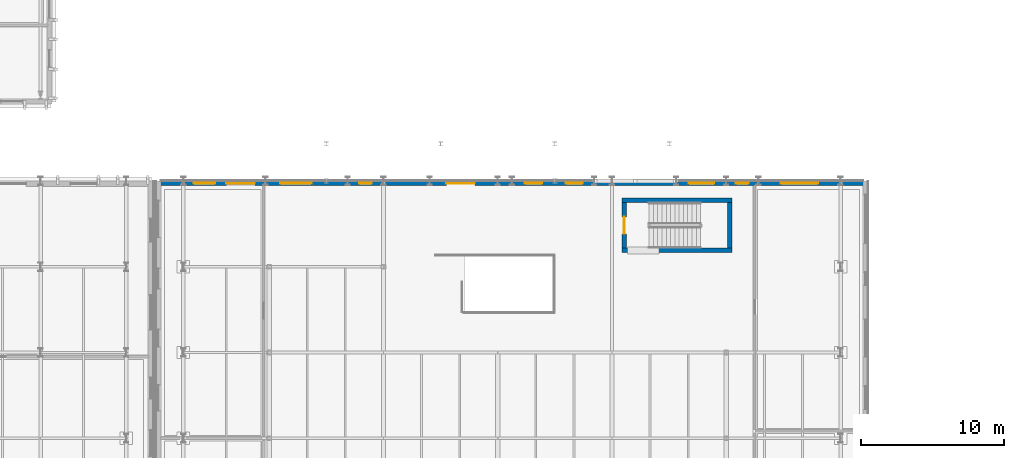
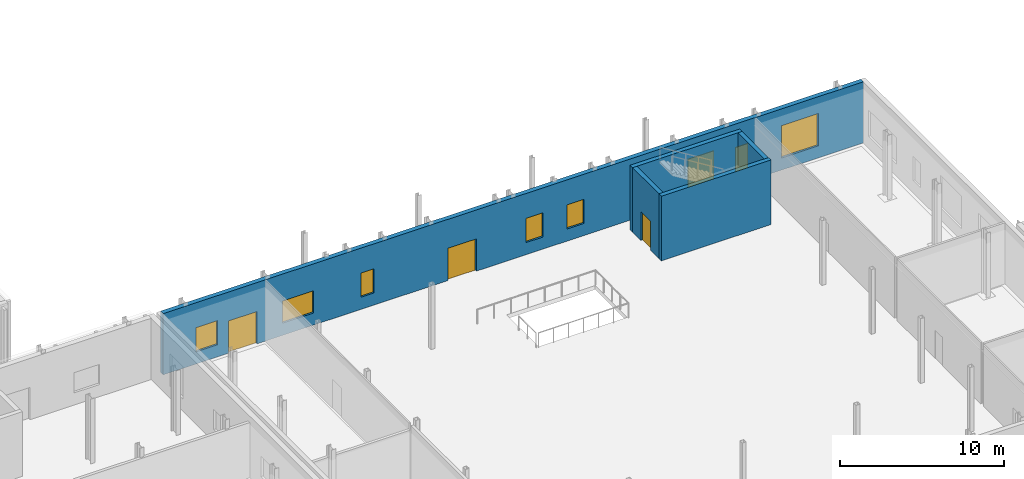
# One storey, part 28 of 60: 8 windows, 5 walls, 3 doors, 11 openings.
"""IFC4 building model written with IfcOpenShell, lengths in metres."""

from ifc_helpers import new_model, si_unit, direction, frame, frame_2d, origin, place, context, subcontext, project, spatial, rectangle, extrude, material, layer, layer_set, type_object, element, fill, save


model = new_model("IFC4")

# Units and contexts
model_context = context("Model", 3, precision=1e-05, world=origin(), true_north=direction((0.0, 1.0)))
body_context = subcontext(model_context, "Body", "Model", "MODEL_VIEW")
ifc_project = project(units=[si_unit("LENGTHUNIT", "METRE"), si_unit("AREAUNIT", "SQUARE_METRE"), si_unit("VOLUMEUNIT", "CUBIC_METRE"), si_unit("PLANEANGLEUNIT", "RADIAN"), si_unit("MASSUNIT", "GRAM", prefix="KILO")], contexts=[model_context])

# Site, building, storey
site_placement = place(None, origin())
site = spatial("IfcSite", under=ifc_project, at=site_placement, CompositionType="ELEMENT")
building_placement = place(site_placement, origin())
building = spatial("IfcBuilding", under=site, at=building_placement, Name="Cymarion Research Institute", CompositionType="ELEMENT")
storey_placement = place(building_placement, origin())
storey = spatial("IfcBuildingStorey", under=building, at=storey_placement, Name="L00", CompositionType="ELEMENT", Elevation=0.0)

# Wall, openings, doors, windows
ifc_material_1 = material(Name="Concrete C40/50", Category="concrete")
ifc_layer_1 = layer(ifc_material_1, 0.320068359375)
ifc_layer_set_1 = layer_set([ifc_layer_1], Name="Concrete C40/50")
wall_type_1 = type_object("IfcWallType", Name="EXTERIOR WALL EW-RC320 320MM", PredefinedType="SHEAR", material=ifc_layer_set_1)
wall_1_placement = place(storey_placement, frame((104.197998046875, 41.340087890625, 0.0), z_axis=(0.0, 0.0, 1.0), x_axis=(-1.0, 0.0, 0.0)))
wall_1 = element("IfcWall", 1, at=wall_1_placement, inside=storey, type_object=wall_type_1, Name="L00 V2 exterior wall EW-RC320 #57", PredefinedType="SHEAR", context=body_context, shape_type="SweptSolid", body=[
    extrude(rectangle(XDim=49.196044921875, YDim=0.320068359375, at=frame_2d((24.59814453125, 0.0))), origin(), (0.0, 0.0, 1.0), 4.550048828125),
])
opening_1_placement = place(wall_1_placement, frame((27.197998046875, 0.0, 0.0)))
opening_1 = element("IfcOpeningElement", 2, at=opening_1_placement, cuts=wall_1, Name="Opening D-EX04", PredefinedType="OPENING", context=body_context, shape_type="SweptSolid", body=[
    extrude(rectangle(XDim=2.0, YDim=2.39990234375, at=frame_2d((1.0, 1.199951171875))), frame((0.0, 0.169921875, 0.0), z_axis=(0.0, -1.0, 0.0), x_axis=(1.0, 0.0, 0.0)), (0.0, 0.0, 1.0), 0.340087890625),
])
opening_2_placement = place(wall_1_placement, frame((42.597900390625, 0.0, 0.0)))
opening_2 = element("IfcOpeningElement", 3, at=opening_2_placement, cuts=wall_1, Name="Opening D-EX19", PredefinedType="OPENING", context=body_context, shape_type="SweptSolid", body=[
    extrude(rectangle(XDim=2.0, YDim=2.39990234375, at=frame_2d((1.0, 1.199951171875))), frame((0.0, 0.169921875, 0.0), z_axis=(0.0, -1.0, 0.0), x_axis=(1.0, 0.0, 0.0)), (0.0, 0.0, 1.0), 0.340087890625),
])
opening_3_placement = place(wall_1_placement, frame((3.173095703125, 0.0, 0.89990234375)))
opening_3 = element("IfcOpeningElement", 4, at=opening_3_placement, cuts=wall_1, Name="Opening W22", PredefinedType="OPENING", context=body_context, shape_type="SweptSolid", body=[
    extrude(rectangle(XDim=2.60009765625, YDim=2.39990234375, at=frame_2d((1.300048828125, 1.199951171875))), frame((0.0, 0.169921875, 0.0), z_axis=(0.0, -1.0, 0.0), x_axis=(1.0, 0.0, 0.0)), (0.0, 0.0, 1.0), 0.340087890625),
])
opening_4_placement = place(wall_1_placement, frame((8.028076171875, 0.0, 0.89990234375)))
opening_4 = element("IfcOpeningElement", 5, at=opening_4_placement, cuts=wall_1, Name="Opening W24", PredefinedType="OPENING", context=body_context, shape_type="SweptSolid", body=[
    extrude(rectangle(XDim=0.89990234375, YDim=1.800048828125, at=frame_2d((0.449951171875, 0.89990234375))), frame((0.0, 0.169921875, 0.0), z_axis=(0.0, -1.0, 0.0), x_axis=(1.0, 0.0, 0.0)), (0.0, 0.0, 1.0), 0.340087890625),
])
opening_5_placement = place(wall_1_placement, frame((10.43798828125, 0.0, 0.89990234375)))
opening_5 = element("IfcOpeningElement", 6, at=opening_5_placement, cuts=wall_1, Name="Opening W10", PredefinedType="OPENING", context=body_context, shape_type="SweptSolid", body=[
    extrude(rectangle(XDim=1.800048828125, YDim=2.10009765625, at=frame_2d((0.89990234375, 1.050048828125))), frame((0.0, 0.169921875, 0.0), z_axis=(0.0, -1.0, 0.0), x_axis=(1.0, 0.0, 0.0)), (0.0, 0.0, 1.0), 0.340087890625),
])
opening_6_placement = place(wall_1_placement, frame((19.633056640625, 0.0, 0.89990234375)))
opening_6 = element("IfcOpeningElement", 7, at=opening_6_placement, cuts=wall_1, Name="Opening W01", PredefinedType="OPENING", context=body_context, shape_type="SweptSolid", body=[
    extrude(rectangle(XDim=1.199951171875, YDim=1.800048828125, at=frame_2d((0.60009765625, 0.89990234375))), frame((0.0, 0.169921875, 0.0), z_axis=(0.0, -1.0, 0.0), x_axis=(1.0, 0.0, 0.0)), (0.0, 0.0, 1.0), 0.340087890625),
])
opening_7_placement = place(wall_1_placement, frame((22.498046875, 0.0, 0.89990234375)))
opening_7 = element("IfcOpeningElement", 8, at=opening_7_placement, cuts=wall_1, Name="Opening W01", PredefinedType="OPENING", context=body_context, shape_type="SweptSolid", body=[
    extrude(rectangle(XDim=1.199951171875, YDim=1.800048828125, at=frame_2d((0.60009765625, 0.89990234375))), frame((0.0, 0.169921875, 0.0), z_axis=(0.0, -1.0, 0.0), x_axis=(1.0, 0.0, 0.0)), (0.0, 0.0, 1.0), 0.340087890625),
])
opening_8_placement = place(wall_1_placement, frame((34.39794921875, 0.0, 0.89990234375)))
opening_8 = element("IfcOpeningElement", 9, at=opening_8_placement, cuts=wall_1, Name="Opening W24", PredefinedType="OPENING", context=body_context, shape_type="SweptSolid", body=[
    extrude(rectangle(XDim=0.89990234375, YDim=1.800048828125, at=frame_2d((0.449951171875, 0.89990234375))), frame((0.0, 0.169921875, 0.0), z_axis=(0.0, -1.0, 0.0), x_axis=(1.0, 0.0, 0.0)), (0.0, 0.0, 1.0), 0.340087890625),
])
opening_9_placement = place(wall_1_placement, frame((38.623046875, 0.0, 0.89990234375)))
opening_9 = element("IfcOpeningElement", 10, at=opening_9_placement, cuts=wall_1, Name="Opening W34", PredefinedType="OPENING", context=body_context, shape_type="SweptSolid", body=[
    extrude(rectangle(XDim=2.199951171875, YDim=1.64990234375, at=frame_2d((1.10009765625, 0.824951171875))), frame((0.0, 0.169921875, 0.0), z_axis=(0.0, -1.0, 0.0), x_axis=(1.0, 0.0, 0.0)), (0.0, 0.0, 1.0), 0.340087890625),
])
opening_10_placement = place(wall_1_placement, frame((45.383056640625, 0.0, 0.89990234375)))
opening_10 = element("IfcOpeningElement", 11, at=opening_10_placement, cuts=wall_1, Name="Opening W02", PredefinedType="OPENING", context=body_context, shape_type="SweptSolid", body=[
    extrude(rectangle(XDim=1.5, YDim=1.800048828125, at=frame_2d((0.75, 0.89990234375))), frame((0.0, 0.169921875, 0.0), z_axis=(0.0, -1.0, 0.0), x_axis=(1.0, 0.0, 0.0)), (0.0, 0.0, 1.0), 0.340087890625),
])
ifc_material_2 = material(Name="Thermally broken anodised aluminium glazed door", Category="aluminium")
door_type_1 = type_object("IfcDoorType", Name="GLAZED ALUMINIUM DOUBLE EXIT DOOR DT-EX200 2000X2400", OperationType="DOUBLE_DOOR_SINGLE_SWING", PredefinedType="DOOR", material=ifc_material_2)
door_1_placement = place(opening_1_placement, frame((2.0, 0.0, 0.0), z_axis=(0.0, 0.0, 1.0), x_axis=(-1.0, 0.0, 0.0)))
door_1 = element("IfcDoor", 12, at=door_1_placement, inside=storey, type_object=door_type_1, Name="L00 V2 Final Exit Door D-EX04", OperationType="DOUBLE_DOOR_SINGLE_SWING", OverallHeight=2.39990234375, OverallWidth=2.0, PredefinedType="DOOR", context=body_context, shape_type="SweptSolid", body=[
    extrude(rectangle(XDim=2.0, YDim=2.39990234375, at=frame_2d((1.0, 1.199951171875))), frame((0.0, 0.02490234375, 0.0), z_axis=(0.0, -1.0, 0.0), x_axis=(1.0, 0.0, 0.0)), (0.0, 0.0, 1.0), 0.050048828125),
])
fill(opening_1, door_1)
door_2_placement = place(opening_2_placement, frame((2.0, 0.0, 0.0), z_axis=(0.0, 0.0, 1.0), x_axis=(-1.0, 0.0, 0.0)))
door_2 = element("IfcDoor", 13, at=door_2_placement, inside=storey, type_object=door_type_1, Name="L00 V2 Final Exit Door D-EX19", OperationType="DOUBLE_DOOR_SINGLE_SWING", OverallHeight=2.39990234375, OverallWidth=2.0, PredefinedType="DOOR", context=body_context, shape_type="SweptSolid", body=[
    extrude(rectangle(XDim=2.0, YDim=2.39990234375, at=frame_2d((1.0, 1.199951171875))), frame((0.0, 0.02490234375, 0.0), z_axis=(0.0, -1.0, 0.0), x_axis=(1.0, 0.0, 0.0)), (0.0, 0.0, 1.0), 0.050048828125),
])
fill(opening_2, door_2)
ifc_material_3 = material(Name="Thermally broken aluminium window with Low-E glazing", Category="aluminium")
window_type_1 = type_object("IfcWindowType", Name="THERMALLY BROKEN ALUMINIUM WINDOW W01 1200X1800", PartitioningType="SINGLE_PANEL", PredefinedType="WINDOW", material=ifc_material_3)
window_1_placement = place(opening_6_placement, origin())
window_1 = element("IfcWindow", 14, at=window_1_placement, inside=storey, type_object=window_type_1, Name="L00 V2 facade window W01 #56", OverallHeight=1.800048828125, OverallWidth=1.199951171875, PartitioningType="SINGLE_PANEL", PredefinedType="WINDOW", context=body_context, shape_type="SweptSolid", body=[
    extrude(rectangle(XDim=1.199951171875, YDim=1.800048828125, at=frame_2d((0.60009765625, 0.89990234375))), frame((0.0, 0.030029296875, 0.0), z_axis=(0.0, -1.0, 0.0), x_axis=(1.0, 0.0, 0.0)), (0.0, 0.0, 1.0), 0.06005859375),
])
fill(opening_6, window_1)
window_2_placement = place(opening_7_placement, origin())
window_2 = element("IfcWindow", 15, at=window_2_placement, inside=storey, type_object=window_type_1, Name="L00 V2 facade window W01 #57", OverallHeight=1.800048828125, OverallWidth=1.199951171875, PartitioningType="SINGLE_PANEL", PredefinedType="WINDOW", context=body_context, shape_type="SweptSolid", body=[
    extrude(rectangle(XDim=1.199951171875, YDim=1.800048828125, at=frame_2d((0.60009765625, 0.89990234375))), frame((0.0, 0.030029296875, 0.0), z_axis=(0.0, -1.0, 0.0), x_axis=(1.0, 0.0, 0.0)), (0.0, 0.0, 1.0), 0.06005859375),
])
fill(opening_7, window_2)
window_type_2 = type_object("IfcWindowType", Name="THERMALLY BROKEN ALUMINIUM WINDOW W02 1500X1800", PartitioningType="DOUBLE_PANEL_VERTICAL", PredefinedType="WINDOW", material=ifc_material_3)
window_3_placement = place(opening_10_placement, origin())
window_3 = element("IfcWindow", 16, at=window_3_placement, inside=storey, type_object=window_type_2, Name="L00 V2 facade window W02 #60", OverallHeight=1.800048828125, OverallWidth=1.5, PartitioningType="SINGLE_PANEL", PredefinedType="WINDOW", context=body_context, shape_type="SweptSolid", body=[
    extrude(rectangle(XDim=1.5, YDim=1.800048828125, at=frame_2d((0.75, 0.89990234375))), frame((0.0, 0.030029296875, 0.0), z_axis=(0.0, -1.0, 0.0), x_axis=(1.0, 0.0, 0.0)), (0.0, 0.0, 1.0), 0.06005859375),
])
fill(opening_10, window_3)
window_type_3 = type_object("IfcWindowType", Name="THERMALLY BROKEN ALUMINIUM WINDOW W10 1800X2100", PartitioningType="DOUBLE_PANEL_VERTICAL", PredefinedType="WINDOW", material=ifc_material_3)
window_4_placement = place(opening_5_placement, origin())
window_4 = element("IfcWindow", 17, at=window_4_placement, inside=storey, type_object=window_type_3, Name="L00 V2 facade window W10 #55", OverallHeight=2.10009765625, OverallWidth=1.800048828125, PartitioningType="SINGLE_PANEL", PredefinedType="WINDOW", context=body_context, shape_type="SweptSolid", body=[
    extrude(rectangle(XDim=1.800048828125, YDim=2.10009765625, at=frame_2d((0.89990234375, 1.050048828125))), frame((0.0, 0.030029296875, 0.0), z_axis=(0.0, -1.0, 0.0), x_axis=(1.0, 0.0, 0.0)), (0.0, 0.0, 1.0), 0.06005859375),
])
fill(opening_5, window_4)
window_type_4 = type_object("IfcWindowType", Name="THERMALLY BROKEN ALUMINIUM WINDOW W22 2600X2400", PartitioningType="TRIPLE_PANEL_VERTICAL", PredefinedType="WINDOW", material=ifc_material_3)
window_5_placement = place(opening_3_placement, origin())
window_5 = element("IfcWindow", 18, at=window_5_placement, inside=storey, type_object=window_type_4, Name="L00 V2 facade window W22 #53", OverallHeight=2.39990234375, OverallWidth=2.60009765625, PartitioningType="SINGLE_PANEL", PredefinedType="WINDOW", context=body_context, shape_type="SweptSolid", body=[
    extrude(rectangle(XDim=2.60009765625, YDim=2.39990234375, at=frame_2d((1.300048828125, 1.199951171875))), frame((0.0, 0.030029296875, 0.0), z_axis=(0.0, -1.0, 0.0), x_axis=(1.0, 0.0, 0.0)), (0.0, 0.0, 1.0), 0.06005859375),
])
fill(opening_3, window_5)
window_type_5 = type_object("IfcWindowType", Name="THERMALLY BROKEN ALUMINIUM WINDOW W24 900X1800", PartitioningType="SINGLE_PANEL", PredefinedType="WINDOW", material=ifc_material_3)
window_6_placement = place(opening_4_placement, origin())
window_6 = element("IfcWindow", 19, at=window_6_placement, inside=storey, type_object=window_type_5, Name="L00 V2 facade window W24 #54", OverallHeight=1.800048828125, OverallWidth=0.89990234375, PartitioningType="SINGLE_PANEL", PredefinedType="WINDOW", context=body_context, shape_type="SweptSolid", body=[
    extrude(rectangle(XDim=0.89990234375, YDim=1.800048828125, at=frame_2d((0.449951171875, 0.89990234375))), frame((0.0, 0.030029296875, 0.0), z_axis=(0.0, -1.0, 0.0), x_axis=(1.0, 0.0, 0.0)), (0.0, 0.0, 1.0), 0.06005859375),
])
fill(opening_4, window_6)
window_7_placement = place(opening_8_placement, origin())
window_7 = element("IfcWindow", 20, at=window_7_placement, inside=storey, type_object=window_type_5, Name="L00 V2 facade window W24 #58", OverallHeight=1.800048828125, OverallWidth=0.89990234375, PartitioningType="SINGLE_PANEL", PredefinedType="WINDOW", context=body_context, shape_type="SweptSolid", body=[
    extrude(rectangle(XDim=0.89990234375, YDim=1.800048828125, at=frame_2d((0.449951171875, 0.89990234375))), frame((0.0, 0.030029296875, 0.0), z_axis=(0.0, -1.0, 0.0), x_axis=(1.0, 0.0, 0.0)), (0.0, 0.0, 1.0), 0.06005859375),
])
fill(opening_8, window_7)
window_type_6 = type_object("IfcWindowType", Name="THERMALLY BROKEN ALUMINIUM WINDOW W34 2200X1650", PartitioningType="DOUBLE_PANEL_VERTICAL", PredefinedType="WINDOW", material=ifc_material_3)
window_8_placement = place(opening_9_placement, origin())
window_8 = element("IfcWindow", 21, at=window_8_placement, inside=storey, type_object=window_type_6, Name="L00 V2 facade window W34 #59", OverallHeight=1.64990234375, OverallWidth=2.199951171875, PartitioningType="SINGLE_PANEL", PredefinedType="WINDOW", context=body_context, shape_type="SweptSolid", body=[
    extrude(rectangle(XDim=2.199951171875, YDim=1.64990234375, at=frame_2d((1.10009765625, 0.824951171875))), frame((0.0, 0.030029296875, 0.0), z_axis=(0.0, -1.0, 0.0), x_axis=(1.0, 0.0, 0.0)), (0.0, 0.0, 1.0), 0.06005859375),
])
fill(opening_9, window_8)

# Walls
ifc_layer_2 = layer(ifc_material_1, 0.300048828125)
ifc_layer_set_2 = layer_set([ifc_layer_2], Name="Concrete C40/50")
wall_type_2 = type_object("IfcWallType", Name="REINFORCED CONCRETE CORE WALL CW-SH300 300MM", PredefinedType="SHEAR", material=ifc_layer_set_2)
for number, where, z_axis, x_axis, name in (
    (22, (87.300048828125, 36.64990234375, 0.0), (0.0, 0.0, 1.0), (1.0, 0.0, 0.0), "L00 SHW-C4-L00 south core wall"),
    (23, (95.0, 40.14990234375, 0.0), (0.0, 0.0, 1.0), (-1.0, 0.0, 0.0), "L00 SHW-C4-L00 north core wall"),
):
    element("IfcWall", number, at=place(storey_placement, frame(where, z_axis=z_axis, x_axis=x_axis)), inside=storey, type_object=wall_type_2, Name=name, PredefinedType="SHEAR", context=body_context, shape_type="SweptSolid", body=[
        extrude(rectangle(XDim=7.699951171875, YDim=0.300048828125, at=frame_2d((3.85009765625, 0.0))), origin(), (0.0, 0.0, 1.0), 4.800048828125),
    ])

# Wall, opening, door
wall_2_placement = place(storey_placement, frame((87.449951171875, 40.0, 0.0), z_axis=(0.0, 0.0, 1.0), x_axis=(0.0, -1.0, 0.0)))
wall_2 = element("IfcWall", 24, at=wall_2_placement, inside=storey, type_object=wall_type_2, Name="L00 SHW-C4-L00 west core wall", PredefinedType="SHEAR", context=body_context, shape_type="SweptSolid", body=[
    extrude(rectangle(XDim=3.199951171875, YDim=0.300048828125, at=frame_2d((1.60009765625, 0.0))), origin(), (0.0, 0.0, 1.0), 4.800048828125),
])
opening_11_placement = place(wall_2_placement, frame((1.0, 0.0, 0.0)))
opening_11 = element("IfcOpeningElement", 25, at=opening_11_placement, cuts=wall_2, Name="Opening FD-L00-ST4", PredefinedType="OPENING", context=body_context, shape_type="SweptSolid", body=[
    extrude(rectangle(XDim=1.199951171875, YDim=2.14990234375, at=frame_2d((0.60009765625, 1.074951171875))), frame((0.0, 0.159912109375, 0.0), z_axis=(0.0, -1.0, 0.0), x_axis=(1.0, 0.0, 0.0)), (0.0, 0.0, 1.0), 0.320068359375),
])
ifc_material_4 = material(Name="Fire-rated insulated steel door assembly", Category="steel")
door_type_2 = type_object("IfcDoorType", Name="SMOKE PROOF STAIR FIRE DOOR DT-ST120 1200X2150", OperationType="NOTDEFINED", PredefinedType="DOOR", material=ifc_material_4)
door_3_placement = place(opening_11_placement, frame((1.199951171875, 0.0, 0.0), z_axis=(0.0, 0.0, 1.0), x_axis=(-1.0, 0.0, 0.0)))
door_3 = element("IfcDoor", 26, at=door_3_placement, inside=storey, type_object=door_type_2, Name="L00 ST4 smoke-proof stair door FD-L00-ST4", OperationType="SINGLE_SWING_LEFT", OverallHeight=2.14990234375, OverallWidth=1.199951171875, PredefinedType="DOOR", context=body_context, shape_type="SweptSolid", body=[
    extrude(rectangle(XDim=1.199951171875, YDim=2.14990234375, at=frame_2d((0.60009765625, 1.074951171875))), frame((0.0, 0.02490234375, 0.0), z_axis=(0.0, -1.0, 0.0), x_axis=(1.0, 0.0, 0.0)), (0.0, 0.0, 1.0), 0.050048828125),
])
fill(opening_11, door_3)

# Wall
wall_3_placement = place(storey_placement, frame((94.85009765625, 36.800048828125, 0.0), z_axis=(0.0, 0.0, 1.0), x_axis=(0.0, 1.0, 0.0)))
element("IfcWall", 27, at=wall_3_placement, inside=storey, type_object=wall_type_2, Name="L00 SHW-C4-L00 east core wall", PredefinedType="SHEAR", context=body_context, shape_type="SweptSolid", body=[
    extrude(rectangle(XDim=3.199951171875, YDim=0.300048828125, at=frame_2d((1.60009765625, 0.0))), origin(), (0.0, 0.0, 1.0), 4.800048828125),
])

save(model, "model.ifc")
